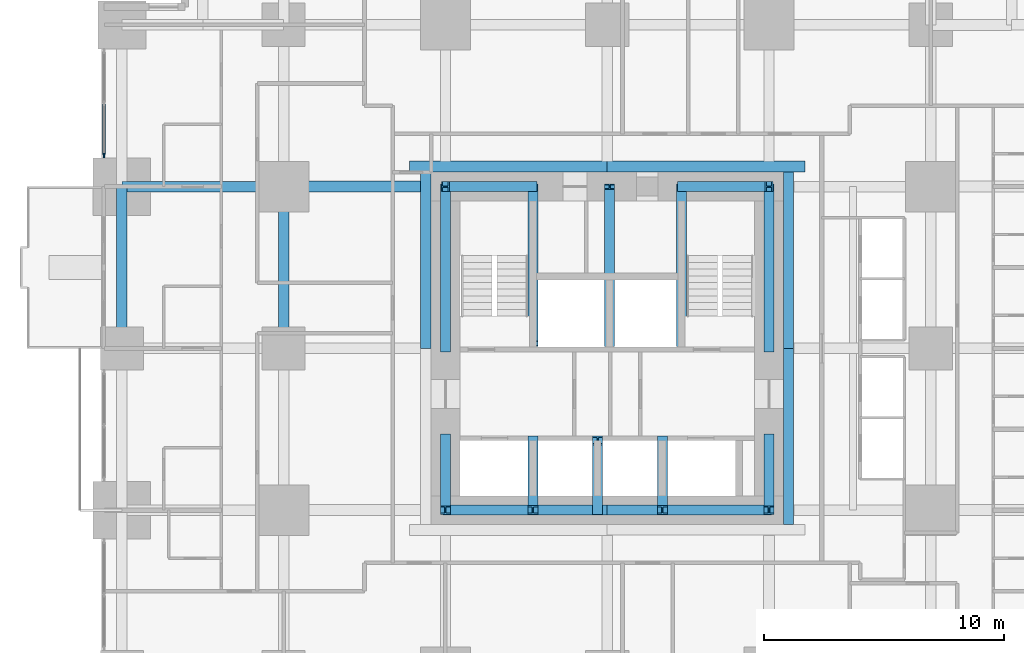
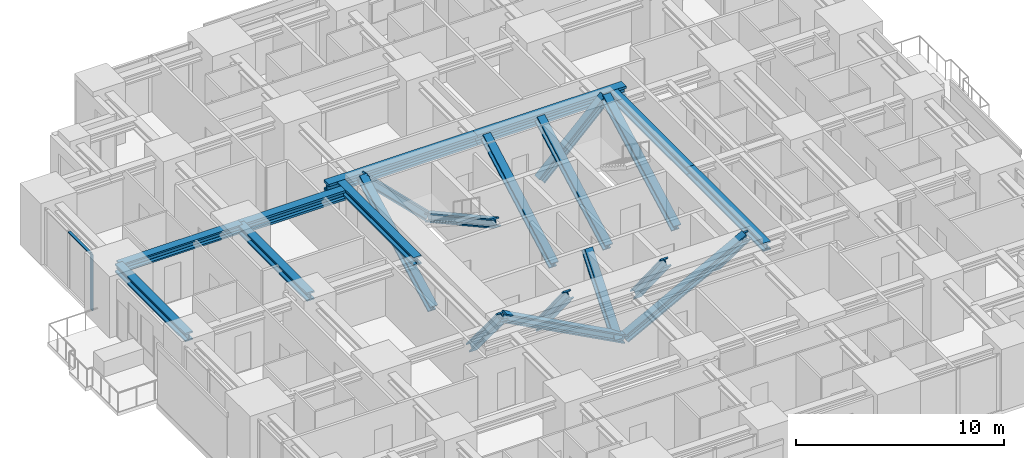
# One storey, part 3 of 15: 16 members, 9 beams, 1 element without a shape of its own.
"""IFC4 building model written with IfcOpenShell, lengths in metres."""

import ifcopenshell
import ifcopenshell.guid

model = None  # the IFC model being written
_history = None  # IfcOwnerHistory: only IFC2X3 demands one
_inside = {}  # id of a spatial element -> (the spatial element, [elements in it])
_under = {}  # id of a project, library or spatial element -> (it, [spatial elements below it])
_declared = {}  # id of a project -> (the project, [libraries it declares])
_typed = {}  # id of a type object -> (the type object, [elements of that type])
_made_of = {}  # id of a material, layer set ... -> (it, [elements and type objects made of it])


def new_model(schema):
    """Start an empty IFC model of exactly this schema.

    Asked for "IFC4X3", IfcOpenShell would pick the latest addendum, in which some entities
    have other attributes; the version numbers below select the first issue.
    IFC2X3 requires an IfcOwnerHistory on every rooted entity: one is made here for all.
    """
    global model, _history
    if schema == "IFC4X3":
        model = ifcopenshell.file(schema_version=(4, 3, 0, 0))
    else:
        model = ifcopenshell.file(schema=schema)
    _inside.clear()
    _under.clear()
    _declared.clear()
    _typed.clear()
    _made_of.clear()
    _history = None
    if model.schema == "IFC2X3":
        org = make("IfcOrganization", Name="unknown")
        user = make(
            "IfcPersonAndOrganization",
            ThePerson=make("IfcPerson", FamilyName="unknown"),
            TheOrganization=org,
        )
        app = make(
            "IfcApplication",
            ApplicationDeveloper=org,
            Version="unknown",
            ApplicationFullName="unknown",
            ApplicationIdentifier="unknown",
        )
        _history = make(
            "IfcOwnerHistory",
            OwningUser=user,
            OwningApplication=app,
            ChangeAction="ADDED",
            CreationDate=0,
        )
    return model


def make(cls, **values):
    """One entity of the class cls with the attributes given. An attribute that is None is left unset."""
    return model.create_entity(
        cls, **{name: value for name, value in values.items() if value is not None}
    )


def rooted(cls, **values):
    """An entity with a GlobalId (a new one), such as an element, a storey or a relation."""
    return make(cls, GlobalId=ifcopenshell.guid.new(), OwnerHistory=_history, **values)


def si_unit(unit_type, name, prefix=None):
    """IfcSIUnit, for example si_unit("LENGTHUNIT", "METRE", prefix="MILLI")."""
    return make("IfcSIUnit", UnitType=unit_type, Prefix=prefix, Name=name)


def assignment(units):
    """IfcUnitAssignment: the units of a project."""
    return None if units is None else make("IfcUnitAssignment", Units=units)


def point(xyz):
    """IfcCartesianPoint."""
    return None if xyz is None else make("IfcCartesianPoint", Coordinates=xyz)


def direction(xyz):
    """IfcDirection."""
    return None if xyz is None else make("IfcDirection", DirectionRatios=xyz)


def frame(location, z_axis=None, x_axis=None):
    """IfcAxis2Placement3D, a coordinate frame: its origin and axes. An axis left out is left unset."""
    return make(
        "IfcAxis2Placement3D",
        Location=point(location),
        Axis=direction(z_axis),
        RefDirection=direction(x_axis),
    )


def frame_2d(location, x_axis=None):
    """IfcAxis2Placement2D, a coordinate frame in the plane: its origin and x axis."""
    return make(
        "IfcAxis2Placement2D", Location=point(location), RefDirection=direction(x_axis)
    )


def origin():
    """The frame at (0, 0, 0) with its axes left unset."""
    return frame((0.0, 0.0, 0.0))


def origin_2d():
    """The frame at (0, 0) in the plane with its x axis left unset."""
    return frame_2d((0.0, 0.0))


def place(relative_to, where):
    """IfcLocalPlacement: puts the frame where relative to a parent placement (None: the world)."""
    return make(
        "IfcLocalPlacement", PlacementRelTo=relative_to, RelativePlacement=where
    )


def context(
    kind, dimensions, precision=None, world=None, true_north=None, identifier=None
):
    """IfcGeometricRepresentationContext, for example the 3D "Model" context."""
    return make(
        "IfcGeometricRepresentationContext",
        ContextIdentifier=identifier,
        ContextType=kind,
        CoordinateSpaceDimension=dimensions,
        Precision=precision,
        WorldCoordinateSystem=world,
        TrueNorth=true_north,
    )


def subcontext(parent, identifier, kind, view, scale=None):
    """IfcGeometricRepresentationSubContext, for example "Body" below "Model"."""
    return make(
        "IfcGeometricRepresentationSubContext",
        ContextIdentifier=identifier,
        ContextType=kind,
        ParentContext=parent,
        TargetScale=scale,
        TargetView=view,
    )


def project(units=None, contexts=None):
    """IfcProject with its units and contexts."""
    return rooted(
        "IfcProject",
        Name="project",
        RepresentationContexts=contexts,
        UnitsInContext=assignment(units),
    )


def spatial(cls, under=None, at=None, **own):
    """A site, building, storey or space (cls), placed at a placement, below another one or the project."""
    s = rooted(cls, ObjectPlacement=at, **own)
    if under is not None:
        _under.setdefault(under.id(), (under, []))[1].append(s)
    return s


def profile(cls, at=None, kind="AREA", **sizes):
    """A parametric profile (cls). Its sizes go by their IFC names, for example OverallWidth=200.0."""
    return make(cls, ProfileType=kind, Position=at, **sizes)


def rectangle(**sizes):
    """IfcRectangleProfileDef."""
    return profile("IfcRectangleProfileDef", **sizes)


def i_section(**sizes):
    """IfcIShapeProfileDef."""
    return profile("IfcIShapeProfileDef", **sizes)


def extrude(swept, where, along, depth):
    """IfcExtrudedAreaSolid: the profile swept, set in the frame where, extruded along a direction by depth."""
    return make(
        "IfcExtrudedAreaSolid",
        SweptArea=swept,
        Position=where,
        ExtrudedDirection=direction(along),
        Depth=depth,
    )


def shape(context_of_items, identifier, shape_type, items):
    """IfcShapeRepresentation: the items that make up one representation, for example the "Body"."""
    return make(
        "IfcShapeRepresentation",
        ContextOfItems=context_of_items,
        RepresentationIdentifier=identifier,
        RepresentationType=shape_type,
        Items=items,
    )


def material(Name=None, Category=None):
    """IfcMaterial."""
    return make("IfcMaterial", Name=Name, Category=Category)


def material_profile(
    of_material, cross_section, Name=None, Category=None, Priority=None
):
    """IfcMaterialProfile: a cross section and its material."""
    return make(
        "IfcMaterialProfile",
        Name=Name,
        Material=of_material,
        Profile=cross_section,
        Priority=Priority,
        Category=Category,
    )


def profile_set(profiles, Name=None, composite=None):
    """IfcMaterialProfileSet."""
    return make(
        "IfcMaterialProfileSet",
        Name=Name,
        MaterialProfiles=profiles,
        CompositeProfile=composite,
    )


def made_of(thing, what):
    """Note that an element or type object is made of a material, layer set ...; save() writes the relation."""
    if what is not None:
        _made_of.setdefault(what.id(), (what, []))[1].append(thing)
    return thing


def type_object(cls, material=None, **own):
    """A type object (cls), such as IfcWallType, which elements share."""
    return made_of(rooted(cls, **own), material)


def element(
    cls,
    number,
    at=None,
    inside=None,
    cuts=None,
    type_object=None,
    material=None,
    context=None,
    identifier="Body",
    shape_type=None,
    held_by="IfcProductDefinitionShape",
    body=None,
    shapes=None,
    **own,
):
    """One element of the class cls, such as IfcWall. Its Tag is "e" and its number.

    at: its placement. inside: the storey or other place that contains it. cuts: it is an
    opening in that element (IfcRelVoidsElement). A single representation is given by context,
    identifier, shape_type and body (its items); several are given by shapes. held_by: the class
    of the entity that holds the representations. save() writes the other relations.
    """
    e = rooted(cls, Tag="e%d" % number, ObjectPlacement=at, **own)
    if body is not None:
        shapes = [shape(context, identifier, shape_type, body)]
    if shapes is not None:
        e.Representation = make(held_by, Representations=shapes)
    if inside is not None:
        _inside.setdefault(inside.id(), (inside, []))[1].append(e)
    if cuts is not None:
        rooted(
            "IfcRelVoidsElement", RelatingBuildingElement=cuts, RelatedOpeningElement=e
        )
    if type_object is not None:
        _typed.setdefault(type_object.id(), (type_object, []))[1].append(e)
    return made_of(e, material)


def aggregate(whole, parts):
    """IfcRelAggregates: a whole, such as a stair, and the parts it consists of."""
    return rooted("IfcRelAggregates", RelatingObject=whole, RelatedObjects=parts)


def save(model, path):
    """Write the relations noted so far, then the file.

    IfcRelAggregates (storeys below a building ...), IfcRelContainedInSpatialStructure (elements
    in a storey), IfcRelDefinesByType, IfcRelAssociatesMaterial and IfcRelDeclares: one each for
    every whole, place, type object, material and project.
    """
    for whole, parts in _under.values():
        aggregate(whole, parts)
    for where, things in _inside.values():
        rooted(
            "IfcRelContainedInSpatialStructure",
            RelatedElements=things,
            RelatingStructure=where,
        )
    for kind, things in _typed.values():
        rooted("IfcRelDefinesByType", RelatedObjects=things, RelatingType=kind)
    for what, things in _made_of.values():
        rooted("IfcRelAssociatesMaterial", RelatedObjects=things, RelatingMaterial=what)
    for by, libraries in _declared.values():
        rooted("IfcRelDeclares", RelatingContext=by, RelatedDefinitions=libraries)
    model.write(path)


model = new_model("IFC4")

# Units and contexts
model_context = context("Model", 3, precision=1e-05, world=origin(), true_north=direction((0.0, 1.0)))
body_context = subcontext(model_context, "Body", "Model", "MODEL_VIEW")
ifc_project = project(units=[si_unit("LENGTHUNIT", "METRE"), si_unit("AREAUNIT", "SQUARE_METRE"), si_unit("VOLUMEUNIT", "CUBIC_METRE"), si_unit("PLANEANGLEUNIT", "RADIAN"), si_unit("MASSUNIT", "GRAM", prefix="KILO")], contexts=[model_context])

# Site, building, storey
site_placement = place(None, origin())
site = spatial("IfcSite", under=ifc_project, at=site_placement, CompositionType="ELEMENT")
building_placement = place(site_placement, origin())
building = spatial("IfcBuilding", under=site, at=building_placement, Name="Nyansa Garden Tower", CompositionType="ELEMENT")
storey_placement = place(building_placement, frame((0.0, 0.0, 72.0)))
storey = spatial("IfcBuildingStorey", under=building, at=storey_placement, Name="L19", CompositionType="ELEMENT", Elevation=72.0)

# Curtain wall, member
ifc_material_1 = material(Name="Black anodised aluminium, dark tinted double glazing", Category="aluminium")
curtain_wall_type = type_object("IfcCurtainWallType", Name="Inner skin curtain wall ISW-A", PredefinedType="USERDEFINED", material=ifc_material_1)
curtain_wall_placement = place(storey_placement, origin())
curtain_wall = element("IfcCurtainWall", 1, at=curtain_wall_placement, inside=storey, type_object=curtain_wall_type, Name="Inner skin curtain wall L19 W", ObjectType="UNITISED CURTAIN WALL", PredefinedType="USERDEFINED")
ifc_material_2 = material(Name="Black anodised aluminium", Category="aluminium")
ifc_material_profile_1 = material_profile(ifc_material_2, rectangle(XDim=0.06494140625, YDim=0.199951171875, at=origin_2d()), Name="Mullion 200x65")
ifc_profile_set_1 = profile_set([ifc_material_profile_1], Name="Black anodised aluminium")
member_type_1 = type_object("IfcMemberType", Name="Mullion ISW-A 200x65", PredefinedType="MULLION", material=ifc_profile_set_1)
member_1_placement = place(storey_placement, frame((-0.75, 28.300048828125, 0.0), z_axis=(0.0, 0.0, 1.0), x_axis=(1.0, 0.0, 0.0)))
member_1 = element("IfcMember", 2, at=member_1_placement, type_object=member_type_1, Name="ISW-A mullion 3", PredefinedType="MULLION", context=body_context, shape_type="SweptSolid", body=[
    extrude(rectangle(XDim=0.06494140625, YDim=0.199951171875, at=origin_2d()), origin(), (0.0, 0.0, 1.0), 3.300048828125),
])

# Members
ifc_material_3 = material(Name="Steel S355", Category="steel")
ifc_material_profile_2 = material_profile(ifc_material_3, i_section(OverallWidth=0.424072265625, OverallDepth=0.47412109375, WebThickness=0.047607421875, FlangeThickness=0.076904296875, FilletRadius=0.014892578125, at=origin_2d()), Name="HD 400x634")
ifc_profile_set_2 = profile_set([ifc_material_profile_2], Name="Steel S355")
member_type_2 = type_object("IfcMemberType", Name="Perimeter brace HD 400x634", PredefinedType="BRACE", material=ifc_profile_set_2)
for number, where, z_axis, x_axis, name in (
    (3, (20.25, 13.5, 0.0), (-0.882347640589, 0.0, 0.47059817376), (0.0, -1.0, 0.0), "Core brace CS1 L19"),
    (4, (20.25, 13.5, 0.0), (0.882347640589, 0.0, 0.47059817376), (0.0, 1.0, 0.0), "Core brace CS2 L19"),
):
    element("IfcMember", number, at=place(storey_placement, frame(where, z_axis=z_axis, x_axis=x_axis)), inside=storey, type_object=member_type_2, Name=name, PredefinedType="BRACE", context=body_context, shape_type="SweptSolid", body=[
        extrude(i_section(OverallWidth=0.424072265625, OverallDepth=0.47412109375, WebThickness=0.047607421875, FlangeThickness=0.076904296875, FilletRadius=0.014892578125, at=origin_2d()), origin(), (0.0, 0.0, 1.0), 7.650146484375),
    ])
for number, where, z_axis, x_axis, name in (
    (5, (17.14990234375, 27.0, 0.0), (-0.711947531702, 0.0, 0.702232662373), (0.0, -1.0, 0.0), "Core brace CN3 L19"),
    (6, (23.35009765625, 27.0, 0.0), (0.711947531702, 0.0, 0.702232662373), (0.0, 1.0, 0.0), "Core brace CN4 L19"),
):
    element("IfcMember", number, at=place(storey_placement, frame(where, z_axis=z_axis, x_axis=x_axis)), inside=storey, type_object=member_type_2, Name=name, PredefinedType="BRACE", context=body_context, shape_type="SweptSolid", body=[
        extrude(i_section(OverallWidth=0.424072265625, OverallDepth=0.47412109375, WebThickness=0.047607421875, FlangeThickness=0.076904296875, FilletRadius=0.014892578125, at=origin_2d()), origin(), (0.0, 0.0, 1.0), 5.126708984375),
    ])
member_2_placement = place(storey_placement, frame((13.5, 16.5, 0.0), z_axis=(0.0, -0.640174150918, 0.768229820104), x_axis=(1.0, 0.0, 0.0)))
element("IfcMember", 7, at=member_2_placement, inside=storey, type_object=member_type_2, Name="Core brace CW5 L19", PredefinedType="BRACE", context=body_context, shape_type="SweptSolid", body=[
    extrude(i_section(OverallWidth=0.424072265625, OverallDepth=0.47412109375, WebThickness=0.047607421875, FlangeThickness=0.076904296875, FilletRadius=0.014892578125, at=origin_2d()), origin(), (0.0, 0.0, 1.0), 4.686279296875),
])
member_3_placement = place(storey_placement, frame((13.5, 20.199951171875, 0.0), z_axis=(0.0, 0.883784057226, 0.467895009796), x_axis=(-1.0, 0.0, 0.0)))
element("IfcMember", 8, at=member_3_placement, inside=storey, type_object=member_type_2, Name="Core brace CW6 L19", PredefinedType="BRACE", context=body_context, shape_type="SweptSolid", body=[
    extrude(i_section(OverallWidth=0.424072265625, OverallDepth=0.47412109375, WebThickness=0.047607421875, FlangeThickness=0.076904296875, FilletRadius=0.014892578125, at=origin_2d()), origin(), (0.0, 0.0, 1.0), 7.6943359375),
])
member_4_placement = place(storey_placement, frame((27.0, 16.5, 0.0), z_axis=(0.0, -0.640174150918, 0.768229820104), x_axis=(1.0, 0.0, 0.0)))
element("IfcMember", 9, at=member_4_placement, inside=storey, type_object=member_type_2, Name="Core brace CE7 L19", PredefinedType="BRACE", context=body_context, shape_type="SweptSolid", body=[
    extrude(i_section(OverallWidth=0.424072265625, OverallDepth=0.47412109375, WebThickness=0.047607421875, FlangeThickness=0.076904296875, FilletRadius=0.014892578125, at=origin_2d()), origin(), (0.0, 0.0, 1.0), 4.686279296875),
])
member_5_placement = place(storey_placement, frame((27.0, 20.199951171875, 0.0), z_axis=(0.0, 0.883784057226, 0.467895009796), x_axis=(-1.0, 0.0, 0.0)))
element("IfcMember", 10, at=member_5_placement, inside=storey, type_object=member_type_2, Name="Core brace CE8 L19", PredefinedType="BRACE", context=body_context, shape_type="SweptSolid", body=[
    extrude(i_section(OverallWidth=0.424072265625, OverallDepth=0.47412109375, WebThickness=0.047607421875, FlangeThickness=0.076904296875, FilletRadius=0.014892578125, at=origin_2d()), origin(), (0.0, 0.0, 1.0), 7.6943359375),
])
for number, where, z_axis, x_axis, name in (
    (11, (17.14990234375, 27.0, 0.0), (0.0, -0.876353113771, 0.481669201822), (1.0, 0.0, 0.0), "Core brace CWS9 L19"),
    (12, (23.35009765625, 20.449951171875, 0.0), (0.0, 0.876353113771, 0.481669201822), (-1.0, 0.0, 0.0), "Core brace CES10 L19"),
):
    element("IfcMember", number, at=place(storey_placement, frame(where, z_axis=z_axis, x_axis=x_axis)), inside=storey, type_object=member_type_2, Name=name, PredefinedType="BRACE", context=body_context, shape_type="SweptSolid", body=[
        extrude(i_section(OverallWidth=0.424072265625, OverallDepth=0.47412109375, WebThickness=0.047607421875, FlangeThickness=0.076904296875, FilletRadius=0.014892578125, at=origin_2d()), origin(), (0.0, 0.0, 1.0), 7.47412109375),
    ])
for number, where, z_axis, x_axis, name in (
    (13, (17.14990234375, 16.39990234375, 0.0), (0.0, -0.627306405886, 0.778772542617), (1.0, 0.0, 0.0), "Core brace CSW11 L19"),
    (14, (19.85009765625, 13.5, 0.0), (0.0, 0.627306405886, 0.778772542617), (-1.0, 0.0, 0.0), "Core brace CSW12 L19"),
    (15, (22.550048828125, 16.39990234375, 0.0), (0.0, -0.627306405886, 0.778772542617), (1.0, 0.0, 0.0), "Core brace CSW13 L19"),
):
    element("IfcMember", number, at=place(storey_placement, frame(where, z_axis=z_axis, x_axis=x_axis)), inside=storey, type_object=member_type_2, Name=name, PredefinedType="BRACE", context=body_context, shape_type="SweptSolid", body=[
        extrude(i_section(OverallWidth=0.424072265625, OverallDepth=0.47412109375, WebThickness=0.047607421875, FlangeThickness=0.076904296875, FilletRadius=0.014892578125, at=origin_2d()), origin(), (0.0, 0.0, 1.0), 4.622802734375),
    ])
member_6_placement = place(storey_placement, frame((20.35009765625, 20.449951171875, 0.0), z_axis=(0.0, 0.876353113771, 0.481669201822), x_axis=(-1.0, 0.0, 0.0)))
element("IfcMember", 16, at=member_6_placement, inside=storey, type_object=member_type_2, Name="Core brace CNW14 L19", PredefinedType="BRACE", context=body_context, shape_type="SweptSolid", body=[
    extrude(i_section(OverallWidth=0.424072265625, OverallDepth=0.47412109375, WebThickness=0.047607421875, FlangeThickness=0.076904296875, FilletRadius=0.014892578125, at=origin_2d()), origin(), (0.0, 0.0, 1.0), 7.47412109375),
])

# Beams
ifc_material_4 = material(Name="Steel S355", Category="steel")
ifc_material_profile_3 = material_profile(ifc_material_4, i_section(OverallWidth=0.431884765625, OverallDepth=0.498046875, WebThickness=0.0556640625, FlangeThickness=0.0888671875, FilletRadius=0.014892578125, at=origin_2d()), Name="HD 400x744")
ifc_profile_set_3 = profile_set([ifc_material_profile_3], Name="Steel S355")
beam_type_1 = type_object("IfcBeamType", Name="Steel beam SBA2-744 HD 400x744", PredefinedType="BEAM", material=ifc_profile_set_3)
beam_1_placement = place(storey_placement, frame((6.75, 20.25, 3.051025390625), z_axis=(0.0, 1.0, 0.0), x_axis=(-1.0, 0.0, 0.0)))
element("IfcBeam", 17, at=beam_1_placement, inside=storey, type_object=beam_type_1, Name="Steel beam 3/G-3/H L20", PredefinedType="BEAM", context=body_context, shape_type="SweptSolid", body=[
    extrude(i_section(OverallWidth=0.431884765625, OverallDepth=0.498046875, WebThickness=0.0556640625, FlangeThickness=0.0888671875, FilletRadius=0.014892578125, at=origin_2d()), origin(), (0.0, 0.0, 1.0), 6.75),
])
ifc_material_5 = material(Name="Steel S355", Category="steel")
ifc_material_profile_4 = material_profile(ifc_material_5, i_section(OverallWidth=0.431884765625, OverallDepth=0.498046875, WebThickness=0.0556640625, FlangeThickness=0.0888671875, FilletRadius=0.014892578125, at=origin_2d()), Name="HD 400x744")
ifc_profile_set_4 = profile_set([ifc_material_profile_4], Name="Steel S355")
beam_type_2 = type_object("IfcBeamType", Name="Steel beam SEBA-744 HD 400x744", PredefinedType="BEAM", material=ifc_profile_set_4)
beam_2_placement = place(storey_placement, frame((0.0, 20.25, 3.051025390625), z_axis=(0.0, 1.0, 0.0), x_axis=(-1.0, 0.0, 0.0)))
element("IfcBeam", 18, at=beam_2_placement, inside=storey, type_object=beam_type_2, Name="Steel edge beam 2/G-2/H L20", PredefinedType="BEAM", context=body_context, shape_type="SweptSolid", body=[
    extrude(i_section(OverallWidth=0.431884765625, OverallDepth=0.498046875, WebThickness=0.0556640625, FlangeThickness=0.0888671875, FilletRadius=0.014892578125, at=origin_2d()), origin(), (0.0, 0.0, 1.0), 6.75),
])
ifc_material_6 = material(Name="Steel S355", Category="steel")
ifc_material_profile_5 = material_profile(ifc_material_6, i_section(OverallWidth=0.47607421875, OverallDepth=0.60009765625, WebThickness=0.10009765625, FlangeThickness=0.139892578125, FilletRadius=0.014892578125, at=origin_2d()), Name="HD 400x1299")
ifc_profile_set_5 = profile_set([ifc_material_profile_5], Name="Steel S355")
beam_type_3 = type_object("IfcBeamType", Name="Steel beam SLB1-1299 HD 400x1299", PredefinedType="BEAM", material=ifc_profile_set_5)
for number, where, z_axis, x_axis, name in (
    (19, (28.5, 27.837890625, 3.0), (-1.0, 0.0, 0.0), (0.0, -1.0, 0.0), "Steel core ledger beam N.1 L20"),
    (20, (20.25, 27.837890625, 3.0), (-1.0, 0.0, 0.0), (0.0, -1.0, 0.0), "Steel core ledger beam N.2 L20"),
):
    element("IfcBeam", number, at=place(storey_placement, frame(where, z_axis=z_axis, x_axis=x_axis)), inside=storey, type_object=beam_type_3, Name=name, PredefinedType="BEAM", context=body_context, shape_type="SweptSolid", body=[
        extrude(i_section(OverallWidth=0.47607421875, OverallDepth=0.60009765625, WebThickness=0.10009765625, FlangeThickness=0.139892578125, FilletRadius=0.014892578125, at=origin_2d()), origin(), (0.0, 0.0, 1.0), 8.25),
    ])
ifc_material_7 = material(Name="Steel S355", Category="steel")
ifc_material_profile_6 = material_profile(ifc_material_7, i_section(OverallWidth=0.431884765625, OverallDepth=0.498046875, WebThickness=0.0556640625, FlangeThickness=0.0888671875, FilletRadius=0.014892578125, at=origin_2d()), Name="HD 400x744")
ifc_profile_set_6 = profile_set([ifc_material_profile_6], Name="Steel S355")
beam_type_4 = type_object("IfcBeamType", Name="Steel beam SLB1-744 HD 400x744", PredefinedType="BEAM", material=ifc_profile_set_6)
for number, where, z_axis, x_axis, name in (
    (21, (27.81591796875, 12.89990234375, 3.051025390625), (0.0, 1.0, 0.0), (-1.0, 0.0, 0.0), "Steel core ledger beam E.1 L20"),
    (22, (27.81591796875, 20.25, 3.051025390625), (0.0, 1.0, 0.0), (-1.0, 0.0, 0.0), "Steel core ledger beam E.2 L20"),
    (23, (12.68408203125, 27.60009765625, 3.051025390625), (0.0, -1.0, 0.0), (1.0, 0.0, 0.0), "Steel core ledger beam W.1 L20"),
):
    element("IfcBeam", number, at=place(storey_placement, frame(where, z_axis=z_axis, x_axis=x_axis)), inside=storey, type_object=beam_type_4, Name=name, PredefinedType="BEAM", context=body_context, shape_type="SweptSolid", body=[
        extrude(i_section(OverallWidth=0.431884765625, OverallDepth=0.498046875, WebThickness=0.0556640625, FlangeThickness=0.0888671875, FilletRadius=0.014892578125, at=origin_2d()), origin(), (0.0, 0.0, 1.0), 7.35009765625),
    ])
ifc_material_8 = material(Name="Steel S355", Category="steel")
ifc_material_profile_7 = material_profile(ifc_material_8, i_section(OverallWidth=0.4541015625, OverallDepth=0.569091796875, WebThickness=0.077880859375, FlangeThickness=0.125, FilletRadius=0.014892578125, at=origin_2d()), Name="HD 400x1086")
ifc_profile_set_7 = profile_set([ifc_material_profile_7], Name="Steel S355")
beam_type_5 = type_object("IfcBeamType", Name="Steel beam SOC1-1086 HD 400x1086", PredefinedType="BEAM", material=ifc_profile_set_7)
beam_3_placement = place(storey_placement, frame((6.75, 27.0, 3.015380859375), z_axis=(1.0, 0.0, 0.0), x_axis=(0.0, 1.0, 0.0)))
element("IfcBeam", 24, at=beam_3_placement, inside=storey, type_object=beam_type_5, Name="Steel beam 3/H-12.450/H L20", PredefinedType="BEAM", context=body_context, shape_type="SweptSolid", body=[
    extrude(i_section(OverallWidth=0.4541015625, OverallDepth=0.569091796875, WebThickness=0.077880859375, FlangeThickness=0.125, FilletRadius=0.014892578125, at=origin_2d()), origin(), (0.0, 0.0, 1.0), 5.699951171875),
])
ifc_material_9 = material(Name="Steel S355", Category="steel")
ifc_material_profile_8 = material_profile(ifc_material_9, i_section(OverallWidth=0.431884765625, OverallDepth=0.498046875, WebThickness=0.0556640625, FlangeThickness=0.0888671875, FilletRadius=0.014892578125, at=origin_2d()), Name="HD 400x744")
ifc_profile_set_8 = profile_set([ifc_material_profile_8], Name="Steel S355")
beam_type_6 = type_object("IfcBeamType", Name="Steel beam SOC1-744 HD 400x744", PredefinedType="BEAM", material=ifc_profile_set_8)
beam_4_placement = place(storey_placement, frame((0.0, 27.0, 3.051025390625), z_axis=(1.0, 0.0, 0.0), x_axis=(0.0, 1.0, 0.0)))
element("IfcBeam", 25, at=beam_4_placement, inside=storey, type_object=beam_type_6, Name="Steel beam 2/H-3/H L20", PredefinedType="BEAM", context=body_context, shape_type="SweptSolid", body=[
    extrude(i_section(OverallWidth=0.431884765625, OverallDepth=0.498046875, WebThickness=0.0556640625, FlangeThickness=0.0888671875, FilletRadius=0.014892578125, at=origin_2d()), origin(), (0.0, 0.0, 1.0), 6.75),
])

# Member
ifc_material_10 = material(Name="Black anodised aluminium", Category="aluminium")
ifc_material_profile_9 = material_profile(ifc_material_10, rectangle(XDim=0.14990234375, YDim=0.06494140625, at=origin_2d()), Name="Transom 150x65")
ifc_profile_set_9 = profile_set([ifc_material_profile_9], Name="Black anodised aluminium")
member_type_3 = type_object("IfcMemberType", Name="Transom ISW-A 150x65", PredefinedType="USERDEFINED", material=ifc_profile_set_9)
member_7_placement = place(storey_placement, frame((-0.75, 30.4423828125, 3.267578125), z_axis=(0.0, -1.0, 0.0), x_axis=(1.0, 0.0, 0.0)))
member_7 = element("IfcMember", 26, at=member_7_placement, type_object=member_type_3, Name="ISW-A transom 2", ObjectType="TRANSOM", PredefinedType="USERDEFINED", context=body_context, shape_type="SweptSolid", body=[
    extrude(rectangle(XDim=0.14990234375, YDim=0.06494140625, at=origin_2d()), origin(), (0.0, 0.0, 1.0), 2.10986328125),
])

aggregate(curtain_wall, [member_1, member_7])

save(model, "model.ifc")
